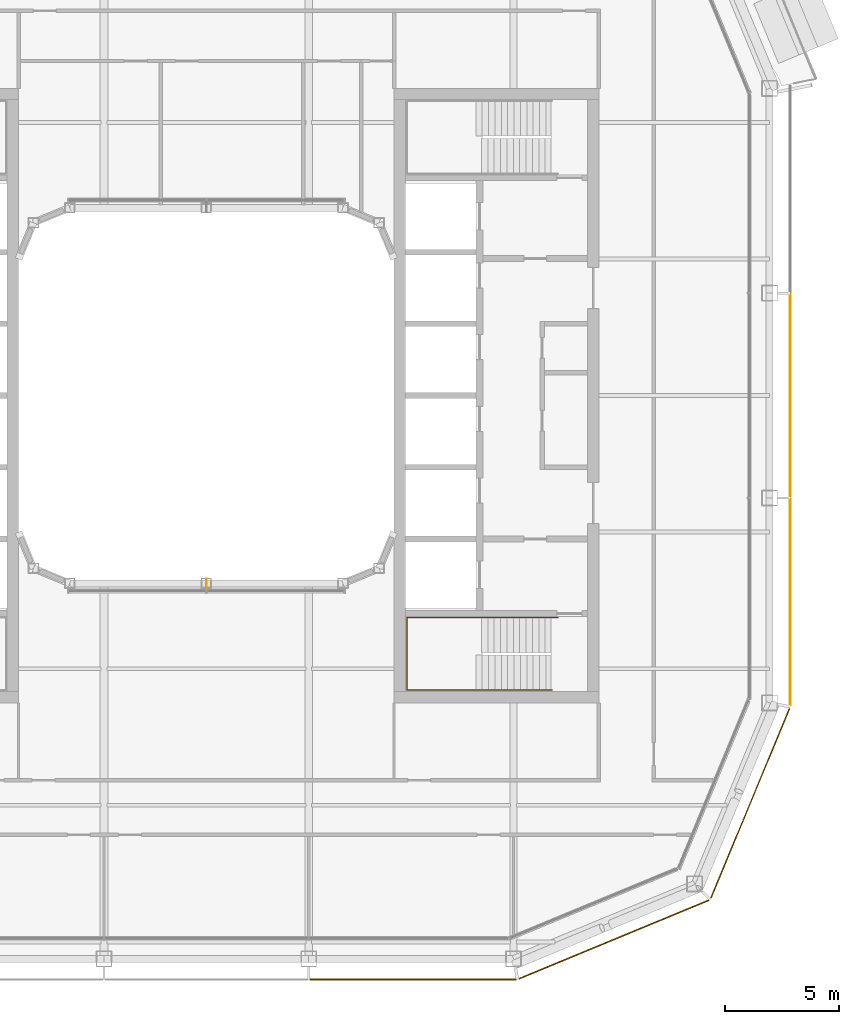
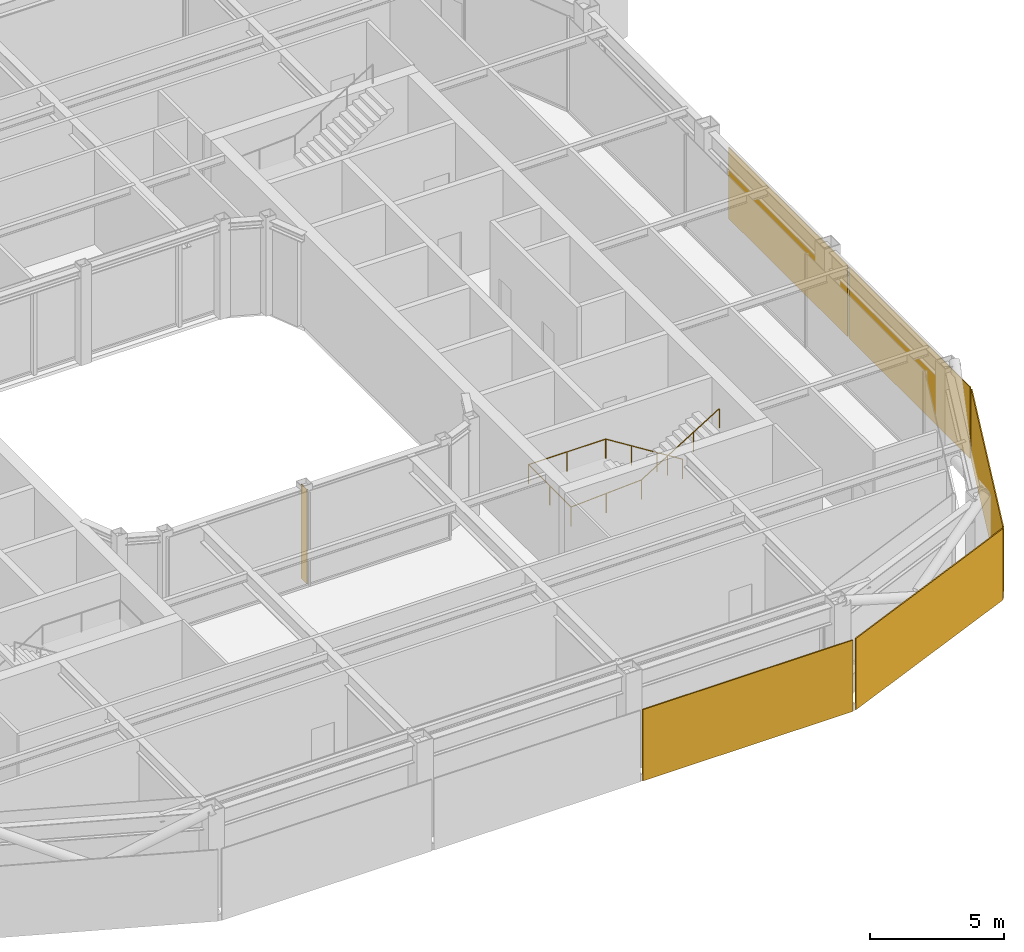
# One storey, part 18 of 21: 5 coverings, 1 railing, 1 shading device.
"""IFC4 building model written with IfcOpenShell, lengths in metres."""

from ifc_helpers import new_model, si_unit, direction, frame, origin, origin_2d, place, context, subcontext, project, spatial, rectangle, circle, extrude, material, layer, layer_set, type_object, element, save


model = new_model("IFC4")

# Units and contexts
model_context = context("Model", 3, precision=1e-05, world=origin(), true_north=direction((0.0, 1.0)))
body_context = subcontext(model_context, "Body", "Model", "MODEL_VIEW")
ifc_project = project(units=[si_unit("LENGTHUNIT", "METRE"), si_unit("AREAUNIT", "SQUARE_METRE"), si_unit("VOLUMEUNIT", "CUBIC_METRE"), si_unit("PLANEANGLEUNIT", "RADIAN"), si_unit("MASSUNIT", "GRAM", prefix="KILO")], contexts=[model_context])

# Site, building, storey
site_placement = place(None, origin())
site = spatial("IfcSite", under=ifc_project, at=site_placement, CompositionType="ELEMENT")
building_placement = place(site_placement, origin())
building = spatial("IfcBuilding", under=site, at=building_placement, Name="Siwar Civic Tower", CompositionType="ELEMENT")
storey_placement = place(building_placement, frame((0.0, 0.0, 343.699951171875)))
storey = spatial("IfcBuildingStorey", under=building, at=storey_placement, Name="L74", CompositionType="ELEMENT", Elevation=343.699951171875)

# Railing
ifc_material_1 = material(Name="Stainless steel", Category="steel")
railing_type = type_object("IfcRailingType", Name="CORE-STAIR-HANDRAIL", PredefinedType="HANDRAIL", material=ifc_material_1)
railing_placement = place(storey_placement, frame((15.449951171875, -9.758056640625, 0.173095703125)))
element("IfcRailing", 1, at=railing_placement, inside=storey, type_object=railing_type, Name="Stair handrail ST4", PredefinedType="HANDRAIL", context=body_context, shape_type="SweptSolid", body=[
    extrude(circle(Radius=0.02001953125, at=origin_2d()), frame((0.0, 0.0, 0.8798828125), z_axis=(-0.847063342986, 0.0, 0.531491950051), x_axis=(0.0, -1.0, 0.0)), (0.0, 0.0, 1.0), 3.90771484375),
    extrude(circle(Radius=0.02001953125, at=origin_2d()), frame((-3.31005859375, 0.0, 2.956787109375), z_axis=(-1.0, 0.0, 0.0), x_axis=(0.0, -1.0, 0.0)), (0.0, 0.0, 1.0), 3.331787109375),
    extrude(circle(Radius=0.02001953125, at=origin_2d()), frame((-6.641845703125, 0.0, 2.956787109375), z_axis=(0.0, -1.0, 0.0), x_axis=(1.0, 0.0, 0.0)), (0.0, 0.0, 1.0), 3.183837890625),
    extrude(circle(Radius=0.02001953125, at=origin_2d()), frame((-6.641845703125, -3.183837890625, 2.956787109375), z_axis=(0.99837434197, 0.0, 0.056997134106), x_axis=(0.0, 1.0, 0.0)), (0.0, 0.0, 1.0), 3.036865234375),
    extrude(circle(Radius=0.02001953125, at=origin_2d()), frame((-3.60986328125, -3.183837890625, 3.1298828125), z_axis=(0.850606129759, 0.0, 0.525803396734), x_axis=(0.0, 1.0, 0.0)), (0.0, 0.0, 1.0), 3.949951171875),
    extrude(circle(Radius=0.02001953125, at=origin_2d()), origin(), (0.0, 0.0, 1.0), 0.85986328125),
    extrude(circle(Radius=0.02001953125, at=origin_2d()), frame((-1.103271484375, 0.0, 0.6923828125)), (0.0, 0.0, 1.0), 0.85986328125),
    extrude(circle(Radius=0.02001953125, at=origin_2d()), frame((-2.206787109375, 0.0, 1.384521484375)), (0.0, 0.0, 1.0), 0.85986328125),
    extrude(circle(Radius=0.02001953125, at=origin_2d()), frame((-3.31005859375, 0.0, 2.076904296875)), (0.0, 0.0, 1.0), 0.85986328125),
    extrude(circle(Radius=0.02001953125, at=origin_2d()), frame((-4.97607421875, 0.0, 2.076904296875)), (0.0, 0.0, 1.0), 0.85986328125),
    extrude(circle(Radius=0.02001953125, at=origin_2d()), frame((-6.641845703125, 0.0, 2.076904296875)), (0.0, 0.0, 1.0), 0.85986328125),
    extrude(circle(Radius=0.02001953125, at=origin_2d()), frame((-6.641845703125, -1.591796875, 2.076904296875)), (0.0, 0.0, 1.0), 0.85986328125),
    extrude(circle(Radius=0.02001953125, at=origin_2d()), frame((-6.641845703125, -3.183837890625, 2.076904296875)), (0.0, 0.0, 1.0), 0.85986328125),
    extrude(circle(Radius=0.02001953125, at=origin_2d()), frame((-5.1259765625, -3.183837890625, 2.16357421875)), (0.0, 0.0, 1.0), 0.85986328125),
    extrude(circle(Radius=0.02001953125, at=origin_2d()), frame((-3.60986328125, -3.183837890625, 2.25)), (0.0, 0.0, 1.0), 0.85986328125),
    extrude(circle(Radius=0.02001953125, at=origin_2d()), frame((-2.489990234375, -3.183837890625, 2.9423828125)), (0.0, 0.0, 1.0), 0.85986328125),
    extrude(circle(Radius=0.02001953125, at=origin_2d()), frame((-1.369873046875, -3.183837890625, 3.634521484375)), (0.0, 0.0, 1.0), 0.85986328125),
    extrude(circle(Radius=0.02001953125, at=origin_2d()), frame((-0.25, -3.183837890625, 4.326904296875)), (0.0, 0.0, 1.0), 0.85986328125),
])

# Shading device
ifc_material_2 = material(Name="Aluminium 6063-T6", Category="aluminium")
ifc_layer_1 = layer(ifc_material_2, 0.02001953125)
ifc_layer_set_1 = layer_set([ifc_layer_1], Name="Aluminium 6063-T6")
shading_device_type = type_object("IfcShadingDeviceType", Name="ENV-FIN", PredefinedType="JALOUSIE", material=ifc_layer_set_1)
shading_device_placement = place(storey_placement, frame((0.0, -8.27001953125, 0.0), z_axis=(0.0, 0.0, 1.0), x_axis=(1.0, 0.0, 0.0)))
element("IfcShadingDevice", 2, at=shading_device_placement, inside=storey, type_object=shading_device_type, Name="SUNSHADE fin WS 1", PredefinedType="JALOUSIE", context=body_context, shape_type="SweptSolid", body=[
    extrude(rectangle(XDim=0.02001953125, YDim=0.449951171875, at=origin_2d()), origin(), (0.0, 0.0, 1.0), 4.300048828125),
])

# Coverings
ifc_material_3 = material(Name="Perforated aluminium cassette, pale metal", Category="aluminium")
ifc_layer_2 = layer(ifc_material_3, 0.0400390625)
ifc_layer_set_2 = layer_set([ifc_layer_2], Name="Perforated aluminium cassette, pale metal")
covering_type_1 = type_object("IfcCoveringType", Name="ENV-OUTER SKIN OS-1", PredefinedType="CLADDING", material=ifc_layer_set_2)
covering_1_placement = place(storey_placement, frame((25.64990234375, -9.07958984375, -0.14990234375), z_axis=(0.0, 0.0, 1.0), x_axis=(0.0, 1.0, 0.0)))
element("IfcCovering", 3, at=covering_1_placement, inside=storey, type_object=covering_type_1, Name="OUTER SKIN OS-1 E 1", PredefinedType="CLADDING", context=body_context, shape_type="SweptSolid", body=[
    extrude(rectangle(XDim=9.05908203125, YDim=0.0400390625, at=origin_2d()), origin(), (0.0, 0.0, 1.0), 3.25),
])
covering_2_placement = place(storey_placement, frame((25.64990234375, 0.0, -0.14990234375), z_axis=(0.0, 0.0, 1.0), x_axis=(0.0, 1.0, 0.0)))
element("IfcCovering", 4, at=covering_2_placement, inside=storey, type_object=covering_type_1, Name="OUTER SKIN OS-1 E 2", PredefinedType="CLADDING", context=body_context, shape_type="SweptSolid", body=[
    extrude(rectangle(XDim=8.89990234375, YDim=0.0400390625, at=origin_2d()), origin(), (0.0, 0.0, 1.0), 3.25),
])
ifc_material_4 = material(Name="Perforated aluminium cassette, pale metal", Category="aluminium")
ifc_layer_3 = layer(ifc_material_4, 0.044921875)
ifc_layer_set_3 = layer_set([ifc_layer_3], Name="Perforated aluminium cassette, pale metal")
covering_type_2 = type_object("IfcCoveringType", Name="ENV-OUTER SKIN OS-2", PredefinedType="CLADDING", material=ifc_layer_set_3)
covering_3_placement = place(storey_placement, frame((23.89697265625, -17.911376953125, -0.14990234375), z_axis=(0.0, 0.0, 1.0), x_axis=(0.382683432365, 0.923879532511, 0.0)))
element("IfcCovering", 5, at=covering_3_placement, inside=storey, type_object=covering_type_2, Name="OUTER SKIN OS-2 SE2 1", PredefinedType="CLADDING", context=body_context, shape_type="SweptSolid", body=[
    extrude(rectangle(XDim=9.022216796875, YDim=0.044921875, at=origin_2d()), origin(), (0.0, 0.0, 1.0), 3.25),
])
ifc_material_5 = material(Name="Perforated aluminium cassette, pale metal", Category="aluminium")
ifc_layer_4 = layer(ifc_material_5, 0.050048828125)
ifc_layer_set_4 = layer_set([ifc_layer_4], Name="Perforated aluminium cassette, pale metal")
covering_type_3 = type_object("IfcCoveringType", Name="ENV-OUTER SKIN OS-3", PredefinedType="CLADDING", material=ifc_layer_set_4)
covering_4_placement = place(storey_placement, frame((17.911376953125, -23.89697265625, -0.14990234375), z_axis=(0.0, 0.0, 1.0), x_axis=(0.923879532511, 0.382683432365, 0.0)))
element("IfcCovering", 6, at=covering_4_placement, inside=storey, type_object=covering_type_3, Name="OUTER SKIN OS-3 SE1 1", PredefinedType="CLADDING", context=body_context, shape_type="SweptSolid", body=[
    extrude(rectangle(XDim=9.022216796875, YDim=0.050048828125, at=origin_2d()), origin(), (0.0, 0.0, 1.0), 3.25),
])
ifc_material_6 = material(Name="Perforated aluminium cassette, pale metal", Category="aluminium")
ifc_layer_5 = layer(ifc_material_6, 0.054931640625)
ifc_layer_set_5 = layer_set([ifc_layer_5], Name="Perforated aluminium cassette, pale metal")
covering_type_4 = type_object("IfcCoveringType", Name="ENV-OUTER SKIN OS-4", PredefinedType="CLADDING", material=ifc_layer_set_5)
covering_5_placement = place(storey_placement, frame((9.07958984375, -25.64990234375, -0.14990234375), z_axis=(0.0, 0.0, 1.0), x_axis=(1.0, 0.0, 0.0)))
element("IfcCovering", 7, at=covering_5_placement, inside=storey, type_object=covering_type_4, Name="OUTER SKIN OS-4 S 3", PredefinedType="CLADDING", context=body_context, shape_type="SweptSolid", body=[
    extrude(rectangle(XDim=9.05908203125, YDim=0.054931640625, at=origin_2d()), origin(), (0.0, 0.0, 1.0), 3.25),
])

save(model, "model.ifc")
